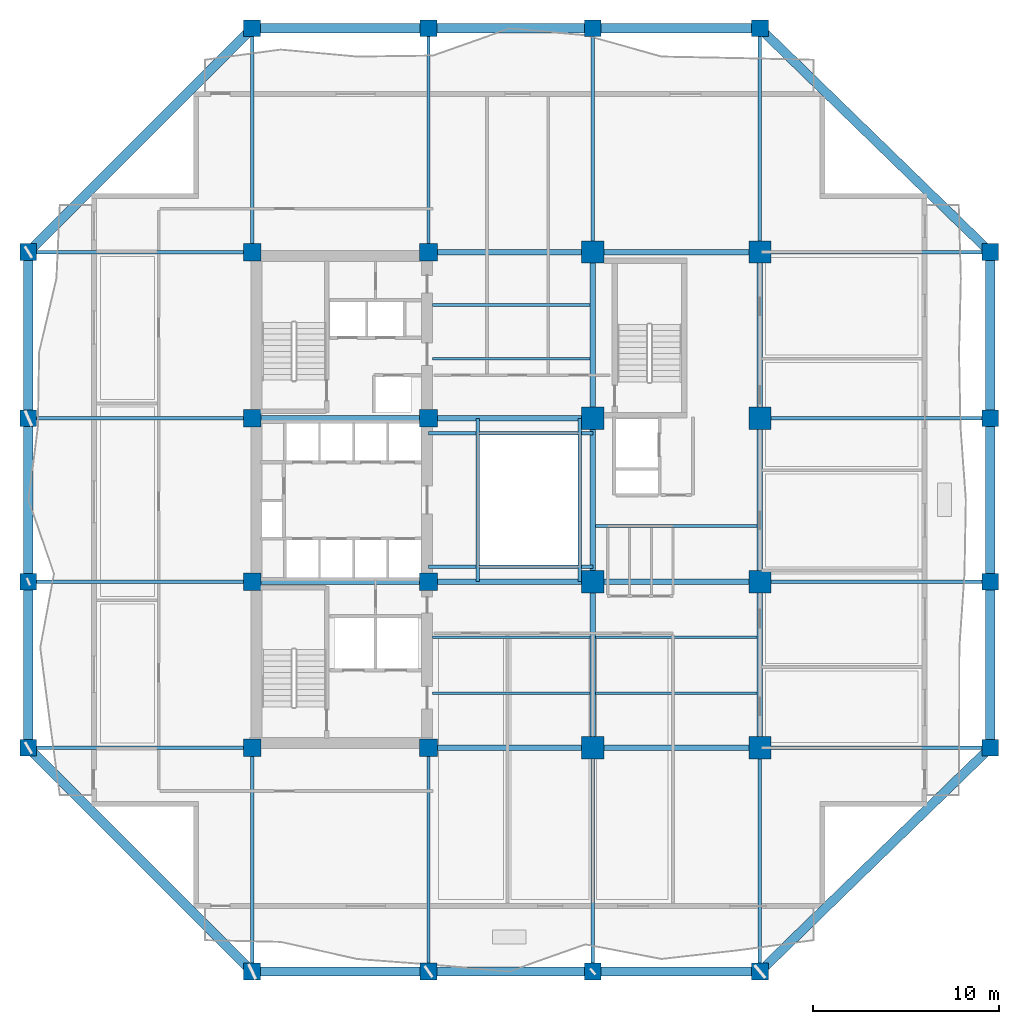
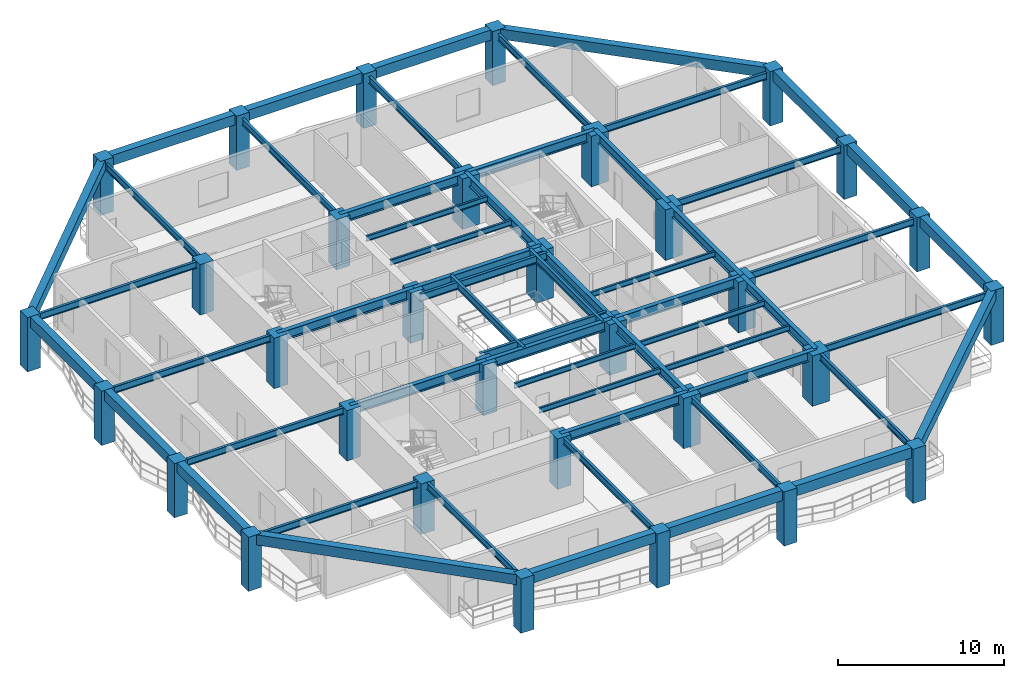
# One storey, part 1 of 13: 58 beams, 32 columns.
"""IFC4 building model written with IfcOpenShell, lengths in metres."""

import ifcopenshell
import ifcopenshell.guid

model = None  # the IFC model being written
_history = None  # IfcOwnerHistory: only IFC2X3 demands one
_inside = {}  # id of a spatial element -> (the spatial element, [elements in it])
_under = {}  # id of a project, library or spatial element -> (it, [spatial elements below it])
_declared = {}  # id of a project -> (the project, [libraries it declares])
_typed = {}  # id of a type object -> (the type object, [elements of that type])
_made_of = {}  # id of a material, layer set ... -> (it, [elements and type objects made of it])


def new_model(schema):
    """Start an empty IFC model of exactly this schema.

    Asked for "IFC4X3", IfcOpenShell would pick the latest addendum, in which some entities
    have other attributes; the version numbers below select the first issue.
    IFC2X3 requires an IfcOwnerHistory on every rooted entity: one is made here for all.
    """
    global model, _history
    if schema == "IFC4X3":
        model = ifcopenshell.file(schema_version=(4, 3, 0, 0))
    else:
        model = ifcopenshell.file(schema=schema)
    _inside.clear()
    _under.clear()
    _declared.clear()
    _typed.clear()
    _made_of.clear()
    _history = None
    if model.schema == "IFC2X3":
        org = make("IfcOrganization", Name="unknown")
        user = make(
            "IfcPersonAndOrganization",
            ThePerson=make("IfcPerson", FamilyName="unknown"),
            TheOrganization=org,
        )
        app = make(
            "IfcApplication",
            ApplicationDeveloper=org,
            Version="unknown",
            ApplicationFullName="unknown",
            ApplicationIdentifier="unknown",
        )
        _history = make(
            "IfcOwnerHistory",
            OwningUser=user,
            OwningApplication=app,
            ChangeAction="ADDED",
            CreationDate=0,
        )
    return model


def make(cls, **values):
    """One entity of the class cls with the attributes given. An attribute that is None is left unset."""
    return model.create_entity(
        cls, **{name: value for name, value in values.items() if value is not None}
    )


def rooted(cls, **values):
    """An entity with a GlobalId (a new one), such as an element, a storey or a relation."""
    return make(cls, GlobalId=ifcopenshell.guid.new(), OwnerHistory=_history, **values)


def si_unit(unit_type, name, prefix=None):
    """IfcSIUnit, for example si_unit("LENGTHUNIT", "METRE", prefix="MILLI")."""
    return make("IfcSIUnit", UnitType=unit_type, Prefix=prefix, Name=name)


def assignment(units):
    """IfcUnitAssignment: the units of a project."""
    return None if units is None else make("IfcUnitAssignment", Units=units)


def point(xyz):
    """IfcCartesianPoint."""
    return None if xyz is None else make("IfcCartesianPoint", Coordinates=xyz)


def direction(xyz):
    """IfcDirection."""
    return None if xyz is None else make("IfcDirection", DirectionRatios=xyz)


def frame(location, z_axis=None, x_axis=None):
    """IfcAxis2Placement3D, a coordinate frame: its origin and axes. An axis left out is left unset."""
    return make(
        "IfcAxis2Placement3D",
        Location=point(location),
        Axis=direction(z_axis),
        RefDirection=direction(x_axis),
    )


def frame_2d(location, x_axis=None):
    """IfcAxis2Placement2D, a coordinate frame in the plane: its origin and x axis."""
    return make(
        "IfcAxis2Placement2D", Location=point(location), RefDirection=direction(x_axis)
    )


def origin():
    """The frame at (0, 0, 0) with its axes left unset."""
    return frame((0.0, 0.0, 0.0))


def origin_2d():
    """The frame at (0, 0) in the plane with its x axis left unset."""
    return frame_2d((0.0, 0.0))


def place(relative_to, where):
    """IfcLocalPlacement: puts the frame where relative to a parent placement (None: the world)."""
    return make(
        "IfcLocalPlacement", PlacementRelTo=relative_to, RelativePlacement=where
    )


def context(
    kind, dimensions, precision=None, world=None, true_north=None, identifier=None
):
    """IfcGeometricRepresentationContext, for example the 3D "Model" context."""
    return make(
        "IfcGeometricRepresentationContext",
        ContextIdentifier=identifier,
        ContextType=kind,
        CoordinateSpaceDimension=dimensions,
        Precision=precision,
        WorldCoordinateSystem=world,
        TrueNorth=true_north,
    )


def subcontext(parent, identifier, kind, view, scale=None):
    """IfcGeometricRepresentationSubContext, for example "Body" below "Model"."""
    return make(
        "IfcGeometricRepresentationSubContext",
        ContextIdentifier=identifier,
        ContextType=kind,
        ParentContext=parent,
        TargetScale=scale,
        TargetView=view,
    )


def project(units=None, contexts=None):
    """IfcProject with its units and contexts."""
    return rooted(
        "IfcProject",
        Name="project",
        RepresentationContexts=contexts,
        UnitsInContext=assignment(units),
    )


def spatial(cls, under=None, at=None, **own):
    """A site, building, storey or space (cls), placed at a placement, below another one or the project."""
    s = rooted(cls, ObjectPlacement=at, **own)
    if under is not None:
        _under.setdefault(under.id(), (under, []))[1].append(s)
    return s


def profile(cls, at=None, kind="AREA", **sizes):
    """A parametric profile (cls). Its sizes go by their IFC names, for example OverallWidth=200.0."""
    return make(cls, ProfileType=kind, Position=at, **sizes)


def rectangle(**sizes):
    """IfcRectangleProfileDef."""
    return profile("IfcRectangleProfileDef", **sizes)


def i_section(**sizes):
    """IfcIShapeProfileDef."""
    return profile("IfcIShapeProfileDef", **sizes)


def extrude(swept, where, along, depth):
    """IfcExtrudedAreaSolid: the profile swept, set in the frame where, extruded along a direction by depth."""
    return make(
        "IfcExtrudedAreaSolid",
        SweptArea=swept,
        Position=where,
        ExtrudedDirection=direction(along),
        Depth=depth,
    )


def shape(context_of_items, identifier, shape_type, items):
    """IfcShapeRepresentation: the items that make up one representation, for example the "Body"."""
    return make(
        "IfcShapeRepresentation",
        ContextOfItems=context_of_items,
        RepresentationIdentifier=identifier,
        RepresentationType=shape_type,
        Items=items,
    )


def material(Name=None, Category=None):
    """IfcMaterial."""
    return make("IfcMaterial", Name=Name, Category=Category)


def material_profile(
    of_material, cross_section, Name=None, Category=None, Priority=None
):
    """IfcMaterialProfile: a cross section and its material."""
    return make(
        "IfcMaterialProfile",
        Name=Name,
        Material=of_material,
        Profile=cross_section,
        Priority=Priority,
        Category=Category,
    )


def profile_set(profiles, Name=None, composite=None):
    """IfcMaterialProfileSet."""
    return make(
        "IfcMaterialProfileSet",
        Name=Name,
        MaterialProfiles=profiles,
        CompositeProfile=composite,
    )


def made_of(thing, what):
    """Note that an element or type object is made of a material, layer set ...; save() writes the relation."""
    if what is not None:
        _made_of.setdefault(what.id(), (what, []))[1].append(thing)
    return thing


def type_object(cls, material=None, **own):
    """A type object (cls), such as IfcWallType, which elements share."""
    return made_of(rooted(cls, **own), material)


def element(
    cls,
    number,
    at=None,
    inside=None,
    cuts=None,
    type_object=None,
    material=None,
    context=None,
    identifier="Body",
    shape_type=None,
    held_by="IfcProductDefinitionShape",
    body=None,
    shapes=None,
    **own,
):
    """One element of the class cls, such as IfcWall. Its Tag is "e" and its number.

    at: its placement. inside: the storey or other place that contains it. cuts: it is an
    opening in that element (IfcRelVoidsElement). A single representation is given by context,
    identifier, shape_type and body (its items); several are given by shapes. held_by: the class
    of the entity that holds the representations. save() writes the other relations.
    """
    e = rooted(cls, Tag="e%d" % number, ObjectPlacement=at, **own)
    if body is not None:
        shapes = [shape(context, identifier, shape_type, body)]
    if shapes is not None:
        e.Representation = make(held_by, Representations=shapes)
    if inside is not None:
        _inside.setdefault(inside.id(), (inside, []))[1].append(e)
    if cuts is not None:
        rooted(
            "IfcRelVoidsElement", RelatingBuildingElement=cuts, RelatedOpeningElement=e
        )
    if type_object is not None:
        _typed.setdefault(type_object.id(), (type_object, []))[1].append(e)
    return made_of(e, material)


def aggregate(whole, parts):
    """IfcRelAggregates: a whole, such as a stair, and the parts it consists of."""
    return rooted("IfcRelAggregates", RelatingObject=whole, RelatedObjects=parts)


def save(model, path):
    """Write the relations noted so far, then the file.

    IfcRelAggregates (storeys below a building ...), IfcRelContainedInSpatialStructure (elements
    in a storey), IfcRelDefinesByType, IfcRelAssociatesMaterial and IfcRelDeclares: one each for
    every whole, place, type object, material and project.
    """
    for whole, parts in _under.values():
        aggregate(whole, parts)
    for where, things in _inside.values():
        rooted(
            "IfcRelContainedInSpatialStructure",
            RelatedElements=things,
            RelatingStructure=where,
        )
    for kind, things in _typed.values():
        rooted("IfcRelDefinesByType", RelatedObjects=things, RelatingType=kind)
    for what, things in _made_of.values():
        rooted("IfcRelAssociatesMaterial", RelatedObjects=things, RelatingMaterial=what)
    for by, libraries in _declared.values():
        rooted("IfcRelDeclares", RelatingContext=by, RelatedDefinitions=libraries)
    model.write(path)


model = new_model("IFC4")

# Units and contexts
model_context = context("Model", 3, precision=1e-05, world=origin(), true_north=direction((0.0, 1.0)))
body_context = subcontext(model_context, "Body", "Model", "MODEL_VIEW")
ifc_project = project(units=[si_unit("LENGTHUNIT", "METRE"), si_unit("AREAUNIT", "SQUARE_METRE"), si_unit("VOLUMEUNIT", "CUBIC_METRE"), si_unit("PLANEANGLEUNIT", "RADIAN"), si_unit("MASSUNIT", "GRAM", prefix="KILO")], contexts=[model_context])

# Site, building, storey
site_placement = place(None, origin())
site = spatial("IfcSite", under=ifc_project, at=site_placement, CompositionType="ELEMENT")
building_placement = place(site_placement, origin())
building = spatial("IfcBuilding", under=site, at=building_placement, Name="Kundavana Baori Tower", CompositionType="ELEMENT")
storey_placement = place(building_placement, frame((0.0, 0.0, 58.0)))
storey = spatial("IfcBuildingStorey", under=building, at=storey_placement, Name="L13", CompositionType="ELEMENT", Elevation=58.0)

# Columns
ifc_material_1 = material(Name="Concrete C60/75", Category="concrete")
ifc_material_profile_1 = material_profile(ifc_material_1, rectangle(XDim=0.89990234375, YDim=0.89990234375, at=origin_2d()), Name="RC PF 900x900")
ifc_profile_set_1 = profile_set([ifc_material_profile_1], Name="Concrete C60/75")
column_type_1 = type_object("IfcColumnType", Name="COL-PF-900", PredefinedType="COLUMN", material=ifc_profile_set_1)
for number, where, z_axis, x_axis, name in (
    (1, (15.449951171875, 3.199951171875, 0.0), (0.0, 0.0, 1.0), (1.0, 0.0, 0.0), "L13 Stone-Clad Perimeter Frame Column PF-S1"),
    (2, (15.449951171875, 54.0, 0.0), (0.0, 0.0, 1.0), (1.0, 0.0, 0.0), "L13 Stone-Clad Perimeter Frame Column PF-N1"),
    (3, (24.949951171875, 3.199951171875, 0.0), (0.0, 0.0, 1.0), (1.0, 0.0, 0.0), "L13 Stone-Clad Perimeter Frame Column PF-S2"),
    (4, (24.949951171875, 54.0, 0.0), (0.0, 0.0, 1.0), (1.0, 0.0, 0.0), "L13 Stone-Clad Perimeter Frame Column PF-N2"),
    (5, (33.800048828125, 3.199951171875, 0.0), (0.0, 0.0, 1.0), (1.0, 0.0, 0.0), "L13 Stone-Clad Perimeter Frame Column PF-S3"),
    (6, (33.800048828125, 54.0, 0.0), (0.0, 0.0, 1.0), (1.0, 0.0, 0.0), "L13 Stone-Clad Perimeter Frame Column PF-N3"),
    (7, (42.800048828125, 3.199951171875, 0.0), (0.0, 0.0, 1.0), (1.0, 0.0, 0.0), "L13 Stone-Clad Perimeter Frame Column PF-S4"),
    (8, (42.800048828125, 54.0, 0.0), (0.0, 0.0, 1.0), (1.0, 0.0, 0.0), "L13 Stone-Clad Perimeter Frame Column PF-N4"),
    (9, (3.39990234375, 15.25, 0.0), (0.0, 0.0, 1.0), (1.0, 0.0, 0.0), "L13 Stone-Clad Perimeter Frame Column PF-W1"),
    (10, (55.199951171875, 15.25, 0.0), (0.0, 0.0, 1.0), (1.0, 0.0, 0.0), "L13 Stone-Clad Perimeter Frame Column PF-E1"),
    (11, (3.39990234375, 24.199951171875, 0.0), (0.0, 0.0, 1.0), (1.0, 0.0, 0.0), "L13 Stone-Clad Perimeter Frame Column PF-W2"),
    (12, (55.199951171875, 24.199951171875, 0.0), (0.0, 0.0, 1.0), (1.0, 0.0, 0.0), "L13 Stone-Clad Perimeter Frame Column PF-E2"),
    (13, (3.39990234375, 33.0, 0.0), (0.0, 0.0, 1.0), (1.0, 0.0, 0.0), "L13 Stone-Clad Perimeter Frame Column PF-W3"),
    (14, (55.199951171875, 33.0, 0.0), (0.0, 0.0, 1.0), (1.0, 0.0, 0.0), "L13 Stone-Clad Perimeter Frame Column PF-E3"),
    (15, (3.39990234375, 41.949951171875, 0.0), (0.0, 0.0, 1.0), (1.0, 0.0, 0.0), "L13 Stone-Clad Perimeter Frame Column PF-W4"),
    (16, (55.199951171875, 41.949951171875, 0.0), (0.0, 0.0, 1.0), (1.0, 0.0, 0.0), "L13 Stone-Clad Perimeter Frame Column PF-E4"),
):
    element("IfcColumn", number, at=place(storey_placement, frame(where, z_axis=z_axis, x_axis=x_axis)), inside=storey, type_object=column_type_1, Name=name, PredefinedType="COLUMN", context=body_context, shape_type="SweptSolid", body=[
        extrude(rectangle(XDim=0.89990234375, YDim=0.89990234375, at=origin_2d()), origin(), (0.0, 0.0, 1.0), 4.0),
    ])
ifc_material_2 = material(Name="Concrete C60/75", Category="concrete")
ifc_material_profile_2 = material_profile(ifc_material_2, rectangle(XDim=1.199951171875, YDim=1.199951171875, at=origin_2d()), Name="RC 1200x1200")
ifc_profile_set_2 = profile_set([ifc_material_profile_2], Name="Concrete C60/75")
column_type_2 = type_object("IfcColumnType", Name="COL-RC-1200", PredefinedType="COLUMN", material=ifc_profile_set_2)
for number, where, z_axis, x_axis, name in (
    (17, (33.800048828125, 15.25, 0.0), (0.0, 0.0, 1.0), (1.0, 0.0, 0.0), "L13 Interior Column IC-5C"),
    (18, (33.800048828125, 24.199951171875, 0.0), (0.0, 0.0, 1.0), (1.0, 0.0, 0.0), "L13 Interior Column IC-5D"),
    (19, (33.800048828125, 33.0, 0.0), (0.0, 0.0, 1.0), (1.0, 0.0, 0.0), "L13 Interior Column IC-5E"),
    (20, (33.800048828125, 41.949951171875, 0.0), (0.0, 0.0, 1.0), (1.0, 0.0, 0.0), "L13 Interior Column IC-5F"),
    (21, (42.800048828125, 15.25, 0.0), (0.0, 0.0, 1.0), (1.0, 0.0, 0.0), "L13 Interior Column IC-6C"),
    (22, (42.800048828125, 24.199951171875, 0.0), (0.0, 0.0, 1.0), (1.0, 0.0, 0.0), "L13 Interior Column IC-6D"),
    (23, (42.800048828125, 33.0, 0.0), (0.0, 0.0, 1.0), (1.0, 0.0, 0.0), "L13 Interior Column IC-6E"),
    (24, (42.800048828125, 41.949951171875, 0.0), (0.0, 0.0, 1.0), (1.0, 0.0, 0.0), "L13 Interior Column IC-6F"),
):
    element("IfcColumn", number, at=place(storey_placement, frame(where, z_axis=z_axis, x_axis=x_axis)), inside=storey, type_object=column_type_2, Name=name, PredefinedType="COLUMN", context=body_context, shape_type="SweptSolid", body=[
        extrude(rectangle(XDim=1.199951171875, YDim=1.199951171875, at=origin_2d()), origin(), (0.0, 0.0, 1.0), 3.719970703125),
    ])
ifc_material_3 = material(Name="Concrete C50/60", Category="concrete")
ifc_material_profile_3 = material_profile(ifc_material_3, rectangle(XDim=0.949951171875, YDim=0.949951171875, at=origin_2d()), Name="RC 950x950")
ifc_profile_set_3 = profile_set([ifc_material_profile_3], Name="Concrete C50/60")
column_type_3 = type_object("IfcColumnType", Name="COL-RC-950", PredefinedType="COLUMN", material=ifc_profile_set_3)
for number, where, z_axis, x_axis, name in (
    (25, (15.449951171875, 15.25, 0.0), (0.0, 0.0, 1.0), (1.0, 0.0, 0.0), "L13 Interior Column IC-3C"),
    (26, (15.449951171875, 24.199951171875, 0.0), (0.0, 0.0, 1.0), (1.0, 0.0, 0.0), "L13 Interior Column IC-3D"),
    (27, (15.449951171875, 33.0, 0.0), (0.0, 0.0, 1.0), (1.0, 0.0, 0.0), "L13 Interior Column IC-3E"),
    (28, (15.449951171875, 41.949951171875, 0.0), (0.0, 0.0, 1.0), (1.0, 0.0, 0.0), "L13 Interior Column IC-3F"),
    (29, (24.949951171875, 15.25, 0.0), (0.0, 0.0, 1.0), (1.0, 0.0, 0.0), "L13 Interior Column IC-4C"),
    (30, (24.949951171875, 24.199951171875, 0.0), (0.0, 0.0, 1.0), (1.0, 0.0, 0.0), "L13 Interior Column IC-4D"),
    (31, (24.949951171875, 33.0, 0.0), (0.0, 0.0, 1.0), (1.0, 0.0, 0.0), "L13 Interior Column IC-4E"),
    (32, (24.949951171875, 41.949951171875, 0.0), (0.0, 0.0, 1.0), (1.0, 0.0, 0.0), "L13 Interior Column IC-4F"),
):
    element("IfcColumn", number, at=place(storey_placement, frame(where, z_axis=z_axis, x_axis=x_axis)), inside=storey, type_object=column_type_3, Name=name, PredefinedType="COLUMN", context=body_context, shape_type="SweptSolid", body=[
        extrude(rectangle(XDim=0.949951171875, YDim=0.949951171875, at=origin_2d()), origin(), (0.0, 0.0, 1.0), 3.719970703125),
    ])

# Beams
ifc_material_4 = material(Name="Structural Steel S355JR", Category="steel")
ifc_material_profile_4 = material_profile(ifc_material_4, i_section(OverallWidth=0.139892578125, OverallDepth=0.39990234375, WebThickness=0.0087890625, FlangeThickness=0.01611328125, FilletRadius=0.013916015625, at=origin_2d()), Name="ISMB 400")
ifc_profile_set_4 = profile_set([ifc_material_profile_4], Name="Structural Steel S355JR")
beam_type_1 = type_object("IfcBeamType", Name="BM-JST-400", PredefinedType="JOIST", material=ifc_profile_set_4)
for number, where, z_axis, x_axis, name in (
    (33, (25.179931640625, 18.199951171875, 3.52001953125), (1.0, 0.0, 0.0), (0.0, 1.0, 0.0), "L13 Central Bay Composite Floor Joist C1"),
    (34, (25.179931640625, 21.199951171875, 3.52001953125), (1.0, 0.0, 0.0), (0.0, 1.0, 0.0), "L13 Central Bay Composite Floor Joist C2"),
    (35, (25.179931640625, 36.199951171875, 3.52001953125), (1.0, 0.0, 0.0), (0.0, 1.0, 0.0), "L13 Central Bay Composite Floor Joist C3"),
    (36, (25.179931640625, 39.10009765625, 3.52001953125), (1.0, 0.0, 0.0), (0.0, 1.0, 0.0), "L13 Central Bay Composite Floor Joist C4"),
):
    element("IfcBeam", number, at=place(storey_placement, frame(where, z_axis=z_axis, x_axis=x_axis)), inside=storey, type_object=beam_type_1, Name=name, PredefinedType="JOIST", context=body_context, shape_type="SweptSolid", body=[
        extrude(i_section(OverallWidth=0.139892578125, OverallDepth=0.39990234375, WebThickness=0.0087890625, FlangeThickness=0.01611328125, FilletRadius=0.013916015625, at=origin_2d()), origin(), (0.0, 0.0, 1.0), 8.469970703125),
    ])
for number, where, z_axis, x_axis, name in (
    (37, (33.949951171875, 18.199951171875, 3.52001953125), (1.0, 0.0, 0.0), (0.0, 1.0, 0.0), "L13 East Bay Composite Floor Joist E1"),
    (38, (33.949951171875, 21.199951171875, 3.52001953125), (1.0, 0.0, 0.0), (0.0, 1.0, 0.0), "L13 East Bay Composite Floor Joist E2"),
    (39, (33.949951171875, 27.199951171875, 3.52001953125), (1.0, 0.0, 0.0), (0.0, 1.0, 0.0), "L13 East Bay Composite Floor Joist E3"),
):
    element("IfcBeam", number, at=place(storey_placement, frame(where, z_axis=z_axis, x_axis=x_axis)), inside=storey, type_object=beam_type_1, Name=name, PredefinedType="JOIST", context=body_context, shape_type="SweptSolid", body=[
        extrude(i_section(OverallWidth=0.139892578125, OverallDepth=0.39990234375, WebThickness=0.0087890625, FlangeThickness=0.01611328125, FilletRadius=0.013916015625, at=origin_2d()), origin(), (0.0, 0.0, 1.0), 8.699951171875),
    ])
ifc_material_5 = material(Name="Concrete C50/60", Category="concrete")
ifc_material_profile_5 = material_profile(ifc_material_5, rectangle(XDim=0.5, YDim=0.75, at=origin_2d()), Name="RC BM 500x750")
ifc_profile_set_5 = profile_set([ifc_material_profile_5], Name="Concrete C50/60")
beam_type_2 = type_object("IfcBeamType", Name="BM-PF-750", PredefinedType="SPANDREL", material=ifc_profile_set_5)
beam_1_placement = place(storey_placement, frame((15.449951171875, 3.199951171875, 3.625), z_axis=(1.0, 0.0, 0.0), x_axis=(0.0, 1.0, 0.0)))
element("IfcBeam", 40, at=beam_1_placement, inside=storey, type_object=beam_type_2, Name="L13 Perimeter Frame Ring Beam S1", PredefinedType="SPANDREL", context=body_context, shape_type="SweptSolid", body=[
    extrude(rectangle(XDim=0.5, YDim=0.75, at=origin_2d()), origin(), (0.0, 0.0, 1.0), 9.5),
])
beam_2_placement = place(storey_placement, frame((24.949951171875, 3.199951171875, 3.625), z_axis=(1.0, 0.0, 0.0), x_axis=(0.0, 1.0, 0.0)))
element("IfcBeam", 41, at=beam_2_placement, inside=storey, type_object=beam_type_2, Name="L13 Perimeter Frame Ring Beam S2", PredefinedType="SPANDREL", context=body_context, shape_type="SweptSolid", body=[
    extrude(rectangle(XDim=0.5, YDim=0.75, at=origin_2d()), origin(), (0.0, 0.0, 1.0), 8.85009765625),
])
beam_3_placement = place(storey_placement, frame((33.800048828125, 3.199951171875, 3.625), z_axis=(1.0, 0.0, 0.0), x_axis=(0.0, 1.0, 0.0)))
element("IfcBeam", 42, at=beam_3_placement, inside=storey, type_object=beam_type_2, Name="L13 Perimeter Frame Ring Beam S3", PredefinedType="SPANDREL", context=body_context, shape_type="SweptSolid", body=[
    extrude(rectangle(XDim=0.5, YDim=0.75, at=origin_2d()), origin(), (0.0, 0.0, 1.0), 9.0),
])
beam_4_placement = place(storey_placement, frame((15.449951171875, 54.0, 3.625), z_axis=(1.0, 0.0, 0.0), x_axis=(0.0, 1.0, 0.0)))
element("IfcBeam", 43, at=beam_4_placement, inside=storey, type_object=beam_type_2, Name="L13 Perimeter Frame Ring Beam N1", PredefinedType="SPANDREL", context=body_context, shape_type="SweptSolid", body=[
    extrude(rectangle(XDim=0.5, YDim=0.75, at=origin_2d()), origin(), (0.0, 0.0, 1.0), 9.5),
])
beam_5_placement = place(storey_placement, frame((24.949951171875, 54.0, 3.625), z_axis=(1.0, 0.0, 0.0), x_axis=(0.0, 1.0, 0.0)))
element("IfcBeam", 44, at=beam_5_placement, inside=storey, type_object=beam_type_2, Name="L13 Perimeter Frame Ring Beam N2", PredefinedType="SPANDREL", context=body_context, shape_type="SweptSolid", body=[
    extrude(rectangle(XDim=0.5, YDim=0.75, at=origin_2d()), origin(), (0.0, 0.0, 1.0), 8.85009765625),
])
beam_6_placement = place(storey_placement, frame((33.800048828125, 54.0, 3.625), z_axis=(1.0, 0.0, 0.0), x_axis=(0.0, 1.0, 0.0)))
element("IfcBeam", 45, at=beam_6_placement, inside=storey, type_object=beam_type_2, Name="L13 Perimeter Frame Ring Beam N3", PredefinedType="SPANDREL", context=body_context, shape_type="SweptSolid", body=[
    extrude(rectangle(XDim=0.5, YDim=0.75, at=origin_2d()), origin(), (0.0, 0.0, 1.0), 9.0),
])
beam_7_placement = place(storey_placement, frame((3.39990234375, 15.25, 3.625), z_axis=(0.0, 1.0, 0.0), x_axis=(-1.0, 0.0, 0.0)))
element("IfcBeam", 46, at=beam_7_placement, inside=storey, type_object=beam_type_2, Name="L13 Perimeter Frame Ring Beam W1", PredefinedType="SPANDREL", context=body_context, shape_type="SweptSolid", body=[
    extrude(rectangle(XDim=0.5, YDim=0.75, at=origin_2d()), origin(), (0.0, 0.0, 1.0), 8.949951171875),
])
beam_8_placement = place(storey_placement, frame((3.39990234375, 24.199951171875, 3.625), z_axis=(0.0, 1.0, 0.0), x_axis=(-1.0, 0.0, 0.0)))
element("IfcBeam", 47, at=beam_8_placement, inside=storey, type_object=beam_type_2, Name="L13 Perimeter Frame Ring Beam W2", PredefinedType="SPANDREL", context=body_context, shape_type="SweptSolid", body=[
    extrude(rectangle(XDim=0.5, YDim=0.75, at=origin_2d()), origin(), (0.0, 0.0, 1.0), 8.800048828125),
])
for number, where, z_axis, x_axis, name in (
    (48, (3.39990234375, 33.0, 3.625), (0.0, 1.0, 0.0), (-1.0, 0.0, 0.0), "L13 Perimeter Frame Ring Beam W3"),
    (49, (55.199951171875, 15.25, 3.625), (0.0, 1.0, 0.0), (-1.0, 0.0, 0.0), "L13 Perimeter Frame Ring Beam E1"),
):
    element("IfcBeam", number, at=place(storey_placement, frame(where, z_axis=z_axis, x_axis=x_axis)), inside=storey, type_object=beam_type_2, Name=name, PredefinedType="SPANDREL", context=body_context, shape_type="SweptSolid", body=[
        extrude(rectangle(XDim=0.5, YDim=0.75, at=origin_2d()), origin(), (0.0, 0.0, 1.0), 8.949951171875),
    ])
beam_9_placement = place(storey_placement, frame((55.199951171875, 24.199951171875, 3.625), z_axis=(0.0, 1.0, 0.0), x_axis=(-1.0, 0.0, 0.0)))
element("IfcBeam", 50, at=beam_9_placement, inside=storey, type_object=beam_type_2, Name="L13 Perimeter Frame Ring Beam E2", PredefinedType="SPANDREL", context=body_context, shape_type="SweptSolid", body=[
    extrude(rectangle(XDim=0.5, YDim=0.75, at=origin_2d()), origin(), (0.0, 0.0, 1.0), 8.800048828125),
])
beam_10_placement = place(storey_placement, frame((55.199951171875, 33.0, 3.625), z_axis=(0.0, 1.0, 0.0), x_axis=(-1.0, 0.0, 0.0)))
element("IfcBeam", 51, at=beam_10_placement, inside=storey, type_object=beam_type_2, Name="L13 Perimeter Frame Ring Beam E3", PredefinedType="SPANDREL", context=body_context, shape_type="SweptSolid", body=[
    extrude(rectangle(XDim=0.5, YDim=0.75, at=origin_2d()), origin(), (0.0, 0.0, 1.0), 8.949951171875),
])
beam_11_placement = place(storey_placement, frame((15.449951171875, 3.199951171875, 3.625), z_axis=(-0.707106781187, 0.707106781187, 0.0), x_axis=(-0.707106781187, -0.707106781187, 0.0)))
element("IfcBeam", 52, at=beam_11_placement, inside=storey, type_object=beam_type_2, Name="L13 Notched Corner Perimeter Beam SW", PredefinedType="SPANDREL", context=body_context, shape_type="SweptSolid", body=[
    extrude(rectangle(XDim=0.5, YDim=0.75, at=origin_2d()), origin(), (0.0, 0.0, 1.0), 17.041259765625),
])
beam_12_placement = place(storey_placement, frame((42.800048828125, 3.199951171875, 3.625), z_axis=(0.717151334594, 0.696917472367, 0.0), x_axis=(-0.696917472367, 0.717151334594, 0.0)))
element("IfcBeam", 53, at=beam_12_placement, inside=storey, type_object=beam_type_2, Name="L13 Notched Corner Perimeter Beam SE", PredefinedType="SPANDREL", context=body_context, shape_type="SweptSolid", body=[
    extrude(rectangle(XDim=0.5, YDim=0.75, at=origin_2d()), origin(), (0.0, 0.0, 1.0), 17.29052734375),
])
beam_13_placement = place(storey_placement, frame((15.449951171875, 54.0, 3.625), z_axis=(-0.707106781187, -0.707106781187, 0.0), x_axis=(0.707106781187, -0.707106781187, 0.0)))
element("IfcBeam", 54, at=beam_13_placement, inside=storey, type_object=beam_type_2, Name="L13 Notched Corner Perimeter Beam NW", PredefinedType="SPANDREL", context=body_context, shape_type="SweptSolid", body=[
    extrude(rectangle(XDim=0.5, YDim=0.75, at=origin_2d()), origin(), (0.0, 0.0, 1.0), 17.041259765625),
])
beam_14_placement = place(storey_placement, frame((42.800048828125, 54.0, 3.625), z_axis=(0.717151334594, -0.696917472367, 0.0), x_axis=(0.696917472367, 0.717151334594, 0.0)))
element("IfcBeam", 55, at=beam_14_placement, inside=storey, type_object=beam_type_2, Name="L13 Notched Corner Perimeter Beam NE", PredefinedType="SPANDREL", context=body_context, shape_type="SweptSolid", body=[
    extrude(rectangle(XDim=0.5, YDim=0.75, at=origin_2d()), origin(), (0.0, 0.0, 1.0), 17.29052734375),
])
ifc_material_6 = material(Name="Structural Steel S355JR", Category="steel")
ifc_material_profile_6 = material_profile(ifc_material_6, i_section(OverallWidth=0.18994140625, OverallDepth=0.550048828125, WebThickness=0.01123046875, FlangeThickness=0.019287109375, FilletRadius=0.01806640625, at=origin_2d()), Name="ISMB 550")
ifc_profile_set_6 = profile_set([ifc_material_profile_6], Name="Structural Steel S355JR")
beam_type_3 = type_object("IfcBeamType", Name="BM-ST-550", PredefinedType="BEAM", material=ifc_profile_set_6)
for number, where, z_axis, x_axis, name in (
    (56, (27.60009765625, 24.199951171875, 3.445068359375), (0.0, 1.0, 0.0), (-1.0, 0.0, 0.0), "L13 Atrium West Edge Beam"),
    (57, (33.10009765625, 24.199951171875, 3.445068359375), (0.0, 1.0, 0.0), (-1.0, 0.0, 0.0), "L13 Atrium East Edge Beam"),
):
    element("IfcBeam", number, at=place(storey_placement, frame(where, z_axis=z_axis, x_axis=x_axis)), inside=storey, type_object=beam_type_3, Name=name, PredefinedType="BEAM", context=body_context, shape_type="SweptSolid", body=[
        extrude(i_section(OverallWidth=0.18994140625, OverallDepth=0.550048828125, WebThickness=0.01123046875, FlangeThickness=0.019287109375, FilletRadius=0.01806640625, at=origin_2d()), origin(), (0.0, 0.0, 1.0), 8.800048828125),
    ])
for number, where, z_axis, x_axis, name in (
    (58, (24.949951171875, 25.0, 3.445068359375), (1.0, 0.0, 0.0), (0.0, 1.0, 0.0), "L13 Atrium South Edge Beam"),
    (59, (24.949951171875, 32.199951171875, 3.445068359375), (1.0, 0.0, 0.0), (0.0, 1.0, 0.0), "L13 Atrium North Edge Beam"),
):
    element("IfcBeam", number, at=place(storey_placement, frame(where, z_axis=z_axis, x_axis=x_axis)), inside=storey, type_object=beam_type_3, Name=name, PredefinedType="BEAM", context=body_context, shape_type="SweptSolid", body=[
        extrude(i_section(OverallWidth=0.18994140625, OverallDepth=0.550048828125, WebThickness=0.01123046875, FlangeThickness=0.019287109375, FilletRadius=0.01806640625, at=origin_2d()), origin(), (0.0, 0.0, 1.0), 8.85009765625),
    ])
ifc_material_7 = material(Name="Structural Steel S355JR", Category="steel")
ifc_material_profile_7 = material_profile(ifc_material_7, i_section(OverallWidth=0.300048828125, OverallDepth=0.699951171875, WebThickness=0.014404296875, FlangeThickness=0.02392578125, FilletRadius=0.02392578125, at=origin_2d()), Name="NPB 700x300x170")
ifc_profile_set_7 = profile_set([ifc_material_profile_7], Name="Structural Steel S355JR")
beam_type_4 = type_object("IfcBeamType", Name="BM-ST-700", PredefinedType="BEAM", material=ifc_profile_set_7)
beam_15_placement = place(storey_placement, frame((24.949951171875, 15.25, 3.3701171875), z_axis=(1.0, 0.0, 0.0), x_axis=(0.0, 1.0, 0.0)))
element("IfcBeam", 60, at=beam_15_placement, inside=storey, type_object=beam_type_4, Name="L13 Primary Grid Girder GX-1-2", PredefinedType="BEAM", context=body_context, shape_type="SweptSolid", body=[
    extrude(i_section(OverallWidth=0.300048828125, OverallDepth=0.699951171875, WebThickness=0.014404296875, FlangeThickness=0.02392578125, FilletRadius=0.02392578125, at=origin_2d()), origin(), (0.0, 0.0, 1.0), 8.85009765625),
])
beam_16_placement = place(storey_placement, frame((33.800048828125, 15.25, 3.3701171875), z_axis=(1.0, 0.0, 0.0), x_axis=(0.0, 1.0, 0.0)))
element("IfcBeam", 61, at=beam_16_placement, inside=storey, type_object=beam_type_4, Name="L13 Primary Grid Girder GX-1-3", PredefinedType="BEAM", context=body_context, shape_type="SweptSolid", body=[
    extrude(i_section(OverallWidth=0.300048828125, OverallDepth=0.699951171875, WebThickness=0.014404296875, FlangeThickness=0.02392578125, FilletRadius=0.02392578125, at=origin_2d()), origin(), (0.0, 0.0, 1.0), 9.0),
])
beam_17_placement = place(storey_placement, frame((15.449951171875, 24.199951171875, 3.3701171875), z_axis=(1.0, 0.0, 0.0), x_axis=(0.0, 1.0, 0.0)))
element("IfcBeam", 62, at=beam_17_placement, inside=storey, type_object=beam_type_4, Name="L13 Primary Grid Girder GX-2-1", PredefinedType="BEAM", context=body_context, shape_type="SweptSolid", body=[
    extrude(i_section(OverallWidth=0.300048828125, OverallDepth=0.699951171875, WebThickness=0.014404296875, FlangeThickness=0.02392578125, FilletRadius=0.02392578125, at=origin_2d()), origin(), (0.0, 0.0, 1.0), 9.5),
])
beam_18_placement = place(storey_placement, frame((24.949951171875, 24.199951171875, 3.3701171875), z_axis=(1.0, 0.0, 0.0), x_axis=(0.0, 1.0, 0.0)))
element("IfcBeam", 63, at=beam_18_placement, inside=storey, type_object=beam_type_4, Name="L13 Primary Grid Girder GX-2-2", PredefinedType="BEAM", context=body_context, shape_type="SweptSolid", body=[
    extrude(i_section(OverallWidth=0.300048828125, OverallDepth=0.699951171875, WebThickness=0.014404296875, FlangeThickness=0.02392578125, FilletRadius=0.02392578125, at=origin_2d()), origin(), (0.0, 0.0, 1.0), 8.85009765625),
])
beam_19_placement = place(storey_placement, frame((33.800048828125, 24.199951171875, 3.3701171875), z_axis=(1.0, 0.0, 0.0), x_axis=(0.0, 1.0, 0.0)))
element("IfcBeam", 64, at=beam_19_placement, inside=storey, type_object=beam_type_4, Name="L13 Primary Grid Girder GX-2-3", PredefinedType="BEAM", context=body_context, shape_type="SweptSolid", body=[
    extrude(i_section(OverallWidth=0.300048828125, OverallDepth=0.699951171875, WebThickness=0.014404296875, FlangeThickness=0.02392578125, FilletRadius=0.02392578125, at=origin_2d()), origin(), (0.0, 0.0, 1.0), 9.0),
])
beam_20_placement = place(storey_placement, frame((15.449951171875, 33.0, 3.3701171875), z_axis=(1.0, 0.0, 0.0), x_axis=(0.0, 1.0, 0.0)))
element("IfcBeam", 65, at=beam_20_placement, inside=storey, type_object=beam_type_4, Name="L13 Primary Grid Girder GX-3-1", PredefinedType="BEAM", context=body_context, shape_type="SweptSolid", body=[
    extrude(i_section(OverallWidth=0.300048828125, OverallDepth=0.699951171875, WebThickness=0.014404296875, FlangeThickness=0.02392578125, FilletRadius=0.02392578125, at=origin_2d()), origin(), (0.0, 0.0, 1.0), 9.5),
])
for number, where, z_axis, x_axis, name in (
    (66, (24.949951171875, 33.0, 3.3701171875), (1.0, 0.0, 0.0), (0.0, 1.0, 0.0), "L13 Primary Grid Girder GX-3-2"),
    (67, (24.949951171875, 41.949951171875, 3.3701171875), (1.0, 0.0, 0.0), (0.0, 1.0, 0.0), "L13 Primary Grid Girder GX-4-2"),
):
    element("IfcBeam", number, at=place(storey_placement, frame(where, z_axis=z_axis, x_axis=x_axis)), inside=storey, type_object=beam_type_4, Name=name, PredefinedType="BEAM", context=body_context, shape_type="SweptSolid", body=[
        extrude(i_section(OverallWidth=0.300048828125, OverallDepth=0.699951171875, WebThickness=0.014404296875, FlangeThickness=0.02392578125, FilletRadius=0.02392578125, at=origin_2d()), origin(), (0.0, 0.0, 1.0), 8.85009765625),
    ])
beam_21_placement = place(storey_placement, frame((33.800048828125, 41.949951171875, 3.3701171875), z_axis=(1.0, 0.0, 0.0), x_axis=(0.0, 1.0, 0.0)))
element("IfcBeam", 68, at=beam_21_placement, inside=storey, type_object=beam_type_4, Name="L13 Primary Grid Girder GX-4-3", PredefinedType="BEAM", context=body_context, shape_type="SweptSolid", body=[
    extrude(i_section(OverallWidth=0.300048828125, OverallDepth=0.699951171875, WebThickness=0.014404296875, FlangeThickness=0.02392578125, FilletRadius=0.02392578125, at=origin_2d()), origin(), (0.0, 0.0, 1.0), 9.0),
])
beam_22_placement = place(storey_placement, frame((33.800048828125, 15.25, 3.3701171875), z_axis=(0.0, 1.0, 0.0), x_axis=(-1.0, 0.0, 0.0)))
element("IfcBeam", 69, at=beam_22_placement, inside=storey, type_object=beam_type_4, Name="L13 Primary Grid Girder GY-3-1", PredefinedType="BEAM", context=body_context, shape_type="SweptSolid", body=[
    extrude(i_section(OverallWidth=0.300048828125, OverallDepth=0.699951171875, WebThickness=0.014404296875, FlangeThickness=0.02392578125, FilletRadius=0.02392578125, at=origin_2d()), origin(), (0.0, 0.0, 1.0), 8.949951171875),
])
beam_23_placement = place(storey_placement, frame((33.800048828125, 24.199951171875, 3.3701171875), z_axis=(0.0, 1.0, 0.0), x_axis=(-1.0, 0.0, 0.0)))
element("IfcBeam", 70, at=beam_23_placement, inside=storey, type_object=beam_type_4, Name="L13 Primary Grid Girder GY-3-2", PredefinedType="BEAM", context=body_context, shape_type="SweptSolid", body=[
    extrude(i_section(OverallWidth=0.300048828125, OverallDepth=0.699951171875, WebThickness=0.014404296875, FlangeThickness=0.02392578125, FilletRadius=0.02392578125, at=origin_2d()), origin(), (0.0, 0.0, 1.0), 8.800048828125),
])
for number, where, z_axis, x_axis, name in (
    (71, (33.800048828125, 33.0, 3.3701171875), (0.0, 1.0, 0.0), (-1.0, 0.0, 0.0), "L13 Primary Grid Girder GY-3-3"),
    (72, (42.800048828125, 15.25, 3.3701171875), (0.0, 1.0, 0.0), (-1.0, 0.0, 0.0), "L13 Primary Grid Girder GY-4-1"),
):
    element("IfcBeam", number, at=place(storey_placement, frame(where, z_axis=z_axis, x_axis=x_axis)), inside=storey, type_object=beam_type_4, Name=name, PredefinedType="BEAM", context=body_context, shape_type="SweptSolid", body=[
        extrude(i_section(OverallWidth=0.300048828125, OverallDepth=0.699951171875, WebThickness=0.014404296875, FlangeThickness=0.02392578125, FilletRadius=0.02392578125, at=origin_2d()), origin(), (0.0, 0.0, 1.0), 8.949951171875),
    ])
beam_24_placement = place(storey_placement, frame((42.800048828125, 24.199951171875, 3.3701171875), z_axis=(0.0, 1.0, 0.0), x_axis=(-1.0, 0.0, 0.0)))
element("IfcBeam", 73, at=beam_24_placement, inside=storey, type_object=beam_type_4, Name="L13 Primary Grid Girder GY-4-2", PredefinedType="BEAM", context=body_context, shape_type="SweptSolid", body=[
    extrude(i_section(OverallWidth=0.300048828125, OverallDepth=0.699951171875, WebThickness=0.014404296875, FlangeThickness=0.02392578125, FilletRadius=0.02392578125, at=origin_2d()), origin(), (0.0, 0.0, 1.0), 8.800048828125),
])
beam_25_placement = place(storey_placement, frame((42.800048828125, 33.0, 3.3701171875), z_axis=(0.0, 1.0, 0.0), x_axis=(-1.0, 0.0, 0.0)))
element("IfcBeam", 74, at=beam_25_placement, inside=storey, type_object=beam_type_4, Name="L13 Primary Grid Girder GY-4-3", PredefinedType="BEAM", context=body_context, shape_type="SweptSolid", body=[
    extrude(i_section(OverallWidth=0.300048828125, OverallDepth=0.699951171875, WebThickness=0.014404296875, FlangeThickness=0.02392578125, FilletRadius=0.02392578125, at=origin_2d()), origin(), (0.0, 0.0, 1.0), 8.949951171875),
])
ifc_material_8 = material(Name="Structural Steel S355JR", Category="steel")
ifc_material_profile_8 = material_profile(ifc_material_8, i_section(OverallWidth=0.179931640625, OverallDepth=0.5, WebThickness=0.01025390625, FlangeThickness=0.01708984375, FilletRadius=0.01708984375, at=origin_2d()), Name="ISMB 500")
ifc_profile_set_8 = profile_set([ifc_material_profile_8], Name="Structural Steel S355JR")
beam_type_5 = type_object("IfcBeamType", Name="BM-TIE-500", PredefinedType="BEAM", material=ifc_profile_set_8)
for number, where, z_axis, x_axis, name in (
    (75, (15.449951171875, 15.25, 3.469970703125), (0.0, -1.0, 0.0), (1.0, 0.0, 0.0), "L13 South Radial Loggia Tie Beam S1"),
    (76, (15.449951171875, 41.949951171875, 3.469970703125), (0.0, 1.0, 0.0), (-1.0, 0.0, 0.0), "L13 North Radial Loggia Tie Beam N1"),
    (77, (24.949951171875, 15.25, 3.469970703125), (0.0, -1.0, 0.0), (1.0, 0.0, 0.0), "L13 South Radial Loggia Tie Beam S2"),
    (78, (24.949951171875, 41.949951171875, 3.469970703125), (0.0, 1.0, 0.0), (-1.0, 0.0, 0.0), "L13 North Radial Loggia Tie Beam N2"),
    (79, (33.800048828125, 15.25, 3.469970703125), (0.0, -1.0, 0.0), (1.0, 0.0, 0.0), "L13 South Radial Loggia Tie Beam S3"),
    (80, (33.800048828125, 41.949951171875, 3.469970703125), (0.0, 1.0, 0.0), (-1.0, 0.0, 0.0), "L13 North Radial Loggia Tie Beam N3"),
    (81, (42.800048828125, 15.25, 3.469970703125), (0.0, -1.0, 0.0), (1.0, 0.0, 0.0), "L13 South Radial Loggia Tie Beam S4"),
    (82, (42.800048828125, 41.949951171875, 3.469970703125), (0.0, 1.0, 0.0), (-1.0, 0.0, 0.0), "L13 North Radial Loggia Tie Beam N4"),
    (83, (15.449951171875, 15.25, 3.469970703125), (-1.0, 0.0, 0.0), (0.0, -1.0, 0.0), "L13 West Radial Loggia Tie Beam W1"),
):
    element("IfcBeam", number, at=place(storey_placement, frame(where, z_axis=z_axis, x_axis=x_axis)), inside=storey, type_object=beam_type_5, Name=name, PredefinedType="BEAM", context=body_context, shape_type="SweptSolid", body=[
        extrude(i_section(OverallWidth=0.179931640625, OverallDepth=0.5, WebThickness=0.01025390625, FlangeThickness=0.01708984375, FilletRadius=0.01708984375, at=origin_2d()), origin(), (0.0, 0.0, 1.0), 12.050048828125),
    ])
beam_26_placement = place(storey_placement, frame((42.800048828125, 15.25, 3.469970703125), z_axis=(1.0, 0.0, 0.0), x_axis=(0.0, 1.0, 0.0)))
element("IfcBeam", 84, at=beam_26_placement, inside=storey, type_object=beam_type_5, Name="L13 East Radial Loggia Tie Beam E1", PredefinedType="BEAM", context=body_context, shape_type="SweptSolid", body=[
    extrude(i_section(OverallWidth=0.179931640625, OverallDepth=0.5, WebThickness=0.01025390625, FlangeThickness=0.01708984375, FilletRadius=0.01708984375, at=origin_2d()), origin(), (0.0, 0.0, 1.0), 12.39990234375),
])
beam_27_placement = place(storey_placement, frame((15.449951171875, 24.199951171875, 3.469970703125), z_axis=(-1.0, 0.0, 0.0), x_axis=(0.0, -1.0, 0.0)))
element("IfcBeam", 85, at=beam_27_placement, inside=storey, type_object=beam_type_5, Name="L13 West Radial Loggia Tie Beam W2", PredefinedType="BEAM", context=body_context, shape_type="SweptSolid", body=[
    extrude(i_section(OverallWidth=0.179931640625, OverallDepth=0.5, WebThickness=0.01025390625, FlangeThickness=0.01708984375, FilletRadius=0.01708984375, at=origin_2d()), origin(), (0.0, 0.0, 1.0), 12.050048828125),
])
beam_28_placement = place(storey_placement, frame((42.800048828125, 24.199951171875, 3.469970703125), z_axis=(1.0, 0.0, 0.0), x_axis=(0.0, 1.0, 0.0)))
element("IfcBeam", 86, at=beam_28_placement, inside=storey, type_object=beam_type_5, Name="L13 East Radial Loggia Tie Beam E2", PredefinedType="BEAM", context=body_context, shape_type="SweptSolid", body=[
    extrude(i_section(OverallWidth=0.179931640625, OverallDepth=0.5, WebThickness=0.01025390625, FlangeThickness=0.01708984375, FilletRadius=0.01708984375, at=origin_2d()), origin(), (0.0, 0.0, 1.0), 12.39990234375),
])
beam_29_placement = place(storey_placement, frame((15.449951171875, 33.0, 3.469970703125), z_axis=(-1.0, 0.0, 0.0), x_axis=(0.0, -1.0, 0.0)))
element("IfcBeam", 87, at=beam_29_placement, inside=storey, type_object=beam_type_5, Name="L13 West Radial Loggia Tie Beam W3", PredefinedType="BEAM", context=body_context, shape_type="SweptSolid", body=[
    extrude(i_section(OverallWidth=0.179931640625, OverallDepth=0.5, WebThickness=0.01025390625, FlangeThickness=0.01708984375, FilletRadius=0.01708984375, at=origin_2d()), origin(), (0.0, 0.0, 1.0), 12.050048828125),
])
beam_30_placement = place(storey_placement, frame((42.800048828125, 33.0, 3.469970703125), z_axis=(1.0, 0.0, 0.0), x_axis=(0.0, 1.0, 0.0)))
element("IfcBeam", 88, at=beam_30_placement, inside=storey, type_object=beam_type_5, Name="L13 East Radial Loggia Tie Beam E3", PredefinedType="BEAM", context=body_context, shape_type="SweptSolid", body=[
    extrude(i_section(OverallWidth=0.179931640625, OverallDepth=0.5, WebThickness=0.01025390625, FlangeThickness=0.01708984375, FilletRadius=0.01708984375, at=origin_2d()), origin(), (0.0, 0.0, 1.0), 12.39990234375),
])
beam_31_placement = place(storey_placement, frame((15.449951171875, 41.949951171875, 3.469970703125), z_axis=(-1.0, 0.0, 0.0), x_axis=(0.0, -1.0, 0.0)))
element("IfcBeam", 89, at=beam_31_placement, inside=storey, type_object=beam_type_5, Name="L13 West Radial Loggia Tie Beam W4", PredefinedType="BEAM", context=body_context, shape_type="SweptSolid", body=[
    extrude(i_section(OverallWidth=0.179931640625, OverallDepth=0.5, WebThickness=0.01025390625, FlangeThickness=0.01708984375, FilletRadius=0.01708984375, at=origin_2d()), origin(), (0.0, 0.0, 1.0), 12.050048828125),
])
beam_32_placement = place(storey_placement, frame((42.800048828125, 41.949951171875, 3.469970703125), z_axis=(1.0, 0.0, 0.0), x_axis=(0.0, 1.0, 0.0)))
element("IfcBeam", 90, at=beam_32_placement, inside=storey, type_object=beam_type_5, Name="L13 East Radial Loggia Tie Beam E4", PredefinedType="BEAM", context=body_context, shape_type="SweptSolid", body=[
    extrude(i_section(OverallWidth=0.179931640625, OverallDepth=0.5, WebThickness=0.01025390625, FlangeThickness=0.01708984375, FilletRadius=0.01708984375, at=origin_2d()), origin(), (0.0, 0.0, 1.0), 12.39990234375),
])

save(model, "model.ifc")
